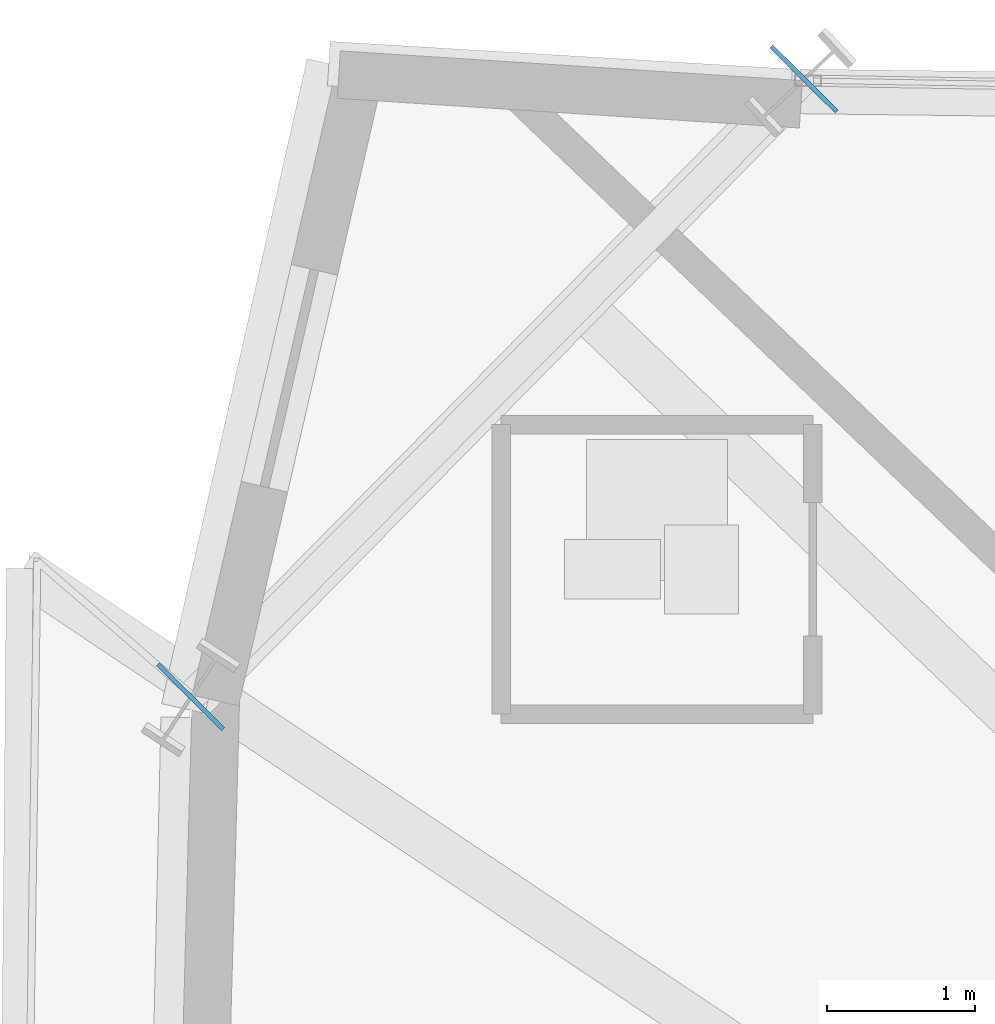
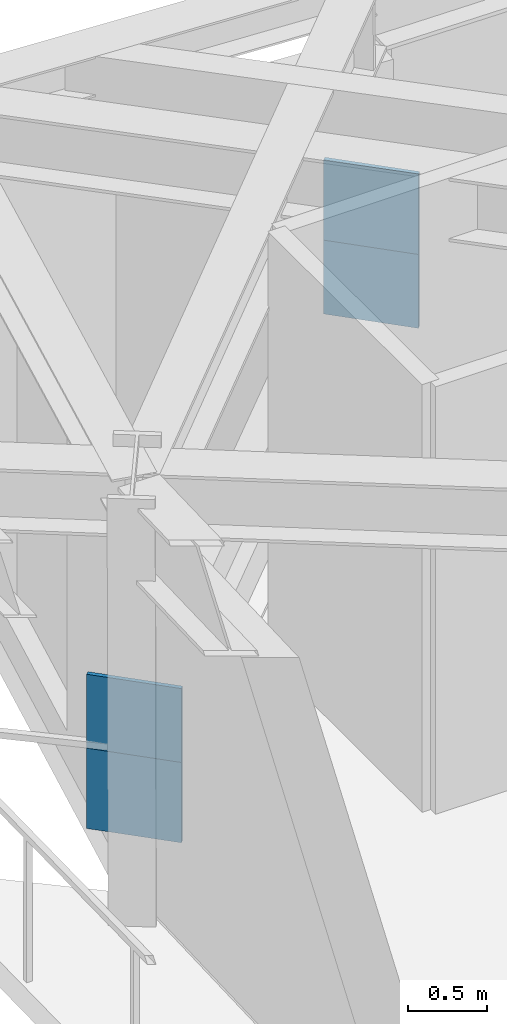
# One storey, part 12 of 22: 4 plates.
"""IFC4 building model written with IfcOpenShell, lengths in metres."""

from ifc_helpers import new_model, si_unit, direction, frame, origin, origin_2d, place, context, subcontext, project, spatial, rectangle, extrude, source, transform, mapped, material, type_object, element, save


model = new_model("IFC4")

# Units and contexts
model_context = context("Model", 3, precision=1e-05, world=origin(), true_north=direction((0.0, 1.0)))
body_context = subcontext(model_context, "Body", "Model", "MODEL_VIEW")
ifc_project = project(units=[si_unit("LENGTHUNIT", "METRE"), si_unit("AREAUNIT", "SQUARE_METRE"), si_unit("VOLUMEUNIT", "CUBIC_METRE"), si_unit("PLANEANGLEUNIT", "RADIAN"), si_unit("MASSUNIT", "GRAM", prefix="KILO")], contexts=[model_context])

# Site, building, storey
site_placement = place(None, origin())
site = spatial("IfcSite", under=ifc_project, at=site_placement, CompositionType="ELEMENT")
building_placement = place(site_placement, origin())
building = spatial("IfcBuilding", under=site, at=building_placement, Name="Olszyna Solenne Hotel", CompositionType="ELEMENT")
storey_placement = place(building_placement, frame((0.0, 0.0, 87.949951171875)))
storey = spatial("IfcBuildingStorey", under=building, at=storey_placement, Name="L22", CompositionType="ELEMENT", Elevation=87.949951171875)

# Plates
ifc_material = material(Name="Steel S460M", Category="steel")
plate_type = type_object("IfcPlateType", Name="GP-CAP2", PredefinedType="USERDEFINED", material=ifc_material)
shared_shape = source(origin(), body_context, "Body", "SweptSolid", [
    extrude(rectangle(XDim=0.030029296875, YDim=0.6201171875, at=origin_2d()), origin(), (0.0, 0.0, 1.0), 0.6201171875),
])
for number, where, z_axis, x_axis, name in (
    (1, (21.518310546875, 44.313720703125, 1.0400390625), (0.0, 0.0, 1.0), (-0.704634209964, -0.709570736537, 0.0), "Hollow section end-cap plate GP-CAP2 CP-PR-M-L22-PR1-1"),
    (2, (17.385498046875, 40.152099609375, 1.0400390625), (0.0, 0.0, 1.0), (-0.704634209964, -0.709570736537, 0.0), "Hollow section end-cap plate GP-CAP2 CP-PR-M-L22-PR1-2"),
    (3, (21.518310546875, 44.313720703125, 0.469970703125), (0.0, 0.0, 1.0), (-0.704634209964, -0.709570736537, 0.0), "Hollow section end-cap plate GP-CAP2 CP-PR-M-L22-PR2-1"),
    (4, (17.385498046875, 40.152099609375, 0.469970703125), (0.0, 0.0, 1.0), (-0.704634209964, -0.709570736537, 0.0), "Hollow section end-cap plate GP-CAP2 CP-PR-M-L22-PR2-2"),
):
    element("IfcPlate", number, at=place(storey_placement, frame(where, z_axis=z_axis, x_axis=x_axis)), inside=storey, type_object=plate_type, Name=name, ObjectType="GUSSET_PLATE", PredefinedType="USERDEFINED", context=body_context, shape_type="MappedRepresentation", body=[
        mapped(shared_shape, transform((0.0, 0.0, 0.0), x_axis=(1.0, 0.0, 0.0), y_axis=(0.0, 1.0, 0.0), z_axis=(0.0, 0.0, 1.0), scale=1.0)),
    ])

save(model, "model.ifc")
